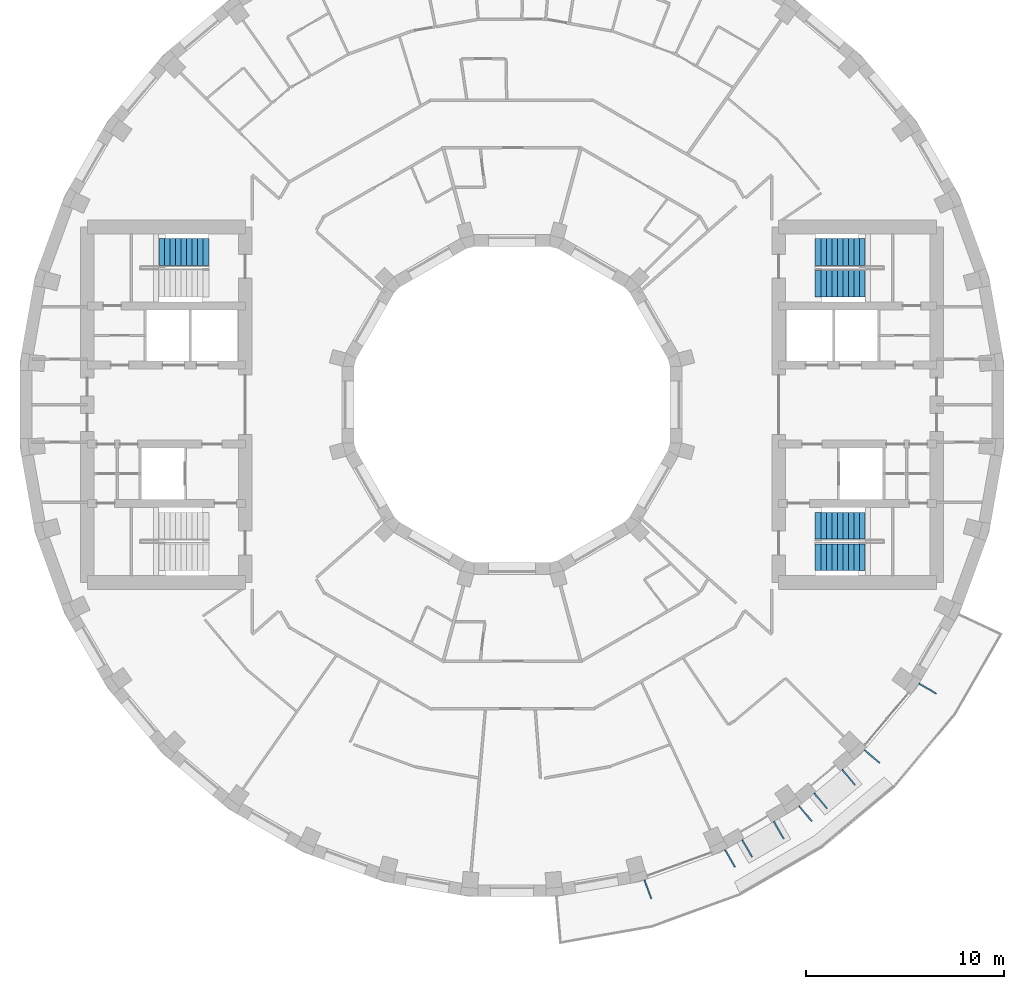
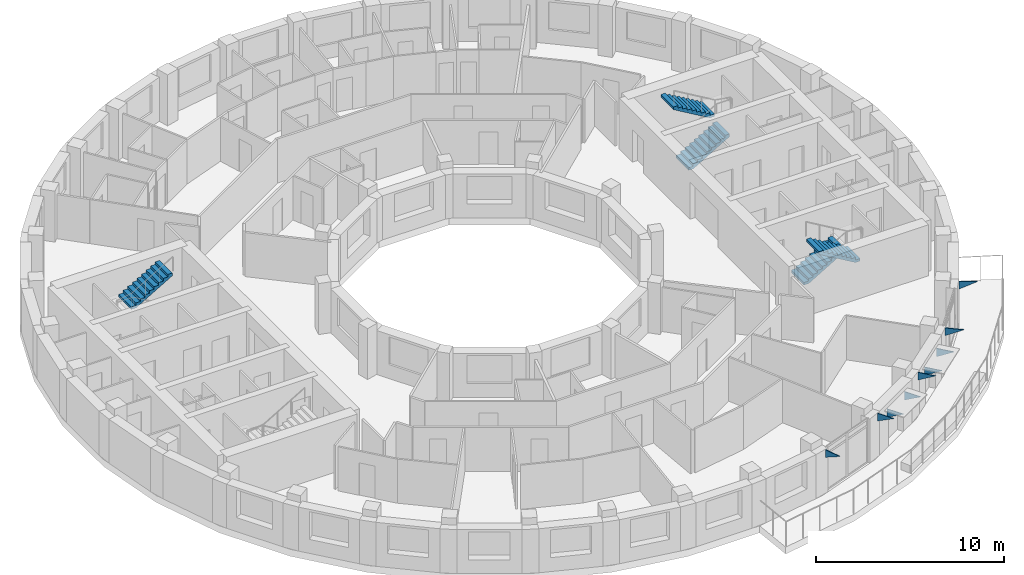
# One storey, part 14 of 15: 9 discrete accessories, 5 stair flights, 3 elements without a shape of their own.
"""IFC4 building model written with IfcOpenShell, lengths in metres."""

from ifc_helpers import new_model, si_unit, direction, frame, origin, place, context, subcontext, project, spatial, polyline, outline, extrude, material, layer, layer_set, type_object, element, aggregate, save


model = new_model("IFC4")

# Units and contexts
model_context = context("Model", 3, precision=1e-05, world=origin(), true_north=direction((0.0, 1.0)))
body_context = subcontext(model_context, "Body", "Model", "MODEL_VIEW")
ifc_project = project(units=[si_unit("LENGTHUNIT", "METRE"), si_unit("AREAUNIT", "SQUARE_METRE"), si_unit("VOLUMEUNIT", "CUBIC_METRE"), si_unit("PLANEANGLEUNIT", "RADIAN"), si_unit("MASSUNIT", "GRAM", prefix="KILO")], contexts=[model_context])

# Site, building, storey
site_placement = place(None, origin())
site = spatial("IfcSite", under=ifc_project, at=site_placement, CompositionType="ELEMENT")
building_placement = place(site_placement, origin())
building = spatial("IfcBuilding", under=site, at=building_placement, Name="Saqina Gate Tower", CompositionType="ELEMENT")
storey_placement = place(building_placement, frame((0.0, 0.0, 164.10009765625)))
storey = spatial("IfcBuildingStorey", under=building, at=storey_placement, Name="L46", CompositionType="ELEMENT", Elevation=164.10009765625)

# Stair, stair flights
ifc_material_1 = material(Name="Concrete C40/50", Category="concrete")
stair_type = type_object("IfcStairType", Name="EXIT STAIR", PredefinedType="HALF_TURN_STAIR", material=ifc_material_1)
stair_1_placement = place(storey_placement, origin())
stair_1 = element("IfcStair", 1, at=stair_1_placement, inside=storey, type_object=stair_type, Name="EXIT STAIR 1", PredefinedType="HALF_TURN_STAIR")
ifc_material_2 = material(Name="Concrete C40/50", Category="concrete")
stair_flight_type = type_object("IfcStairFlightType", Name="EXIT STAIR FLIGHT", PredefinedType="STRAIGHT", material=ifc_material_2)
stair_flight_1_placement = place(storey_placement, frame((15.35009765625, 6.125, 0.0), z_axis=(0.0, 0.0, 1.0), x_axis=(1.0, 0.0, 0.0)))
stair_flight_1 = element("IfcStairFlight", 2, at=stair_flight_1_placement, type_object=stair_flight_type, Name="EXIT STAIR 1 FLIGHT 1", NumberOfRisers=10, NumberOfTreads=9, PredefinedType="STRAIGHT", RiserHeight=0.165, TreadLength=0.28, context=body_context, shape_type="SweptSolid", body=[
    extrude(outline(polyline([(0.0, 0.0), (0.0, 0.1650390625), (0.280029296875, 0.1650390625), (0.280029296875, 0.330078125), (0.56005859375, 0.330078125), (0.56005859375, 0.4951171875), (0.840087890625, 0.4951171875), (0.840087890625, 0.659912109375), (1.1201171875, 0.659912109375), (1.1201171875, 0.824951171875), (1.39990234375, 0.824951171875), (1.39990234375, 0.989990234375), (1.679931640625, 0.989990234375), (1.679931640625, 1.155029296875), (1.9599609375, 1.155029296875), (1.9599609375, 1.320068359375), (2.239990234375, 1.320068359375), (2.239990234375, 1.485107421875), (2.52001953125, 1.485107421875), (2.52001953125, 1.64990234375), (2.52001953125, 1.31103515625), (0.295166015625, 0.0), (0.0, 0.0)])), frame((0.0, 0.675048828125, 0.0), z_axis=(0.0, -1.0, 0.0), x_axis=(1.0, 0.0, 0.0)), (0.0, 0.0, 1.0), 1.35009765625),
])
stair_flight_2_placement = place(storey_placement, frame((17.8701171875, 7.72509765625, 1.64990234375), z_axis=(0.0, 0.0, 1.0), x_axis=(-1.0, 0.0, 0.0)))
stair_flight_2 = element("IfcStairFlight", 3, at=stair_flight_2_placement, type_object=stair_flight_type, Name="EXIT STAIR 1 FLIGHT 2", NumberOfRisers=10, NumberOfTreads=9, PredefinedType="STRAIGHT", RiserHeight=0.165, TreadLength=0.28, context=body_context, shape_type="SweptSolid", body=[
    extrude(outline(polyline([(0.0, 0.0), (0.0, 0.1650390625), (0.280029296875, 0.1650390625), (0.280029296875, 0.330078125), (0.56005859375, 0.330078125), (0.56005859375, 0.4951171875), (0.840087890625, 0.4951171875), (0.840087890625, 0.659912109375), (1.1201171875, 0.659912109375), (1.1201171875, 0.824951171875), (1.39990234375, 0.824951171875), (1.39990234375, 0.989990234375), (1.679931640625, 0.989990234375), (1.679931640625, 1.155029296875), (1.9599609375, 1.155029296875), (1.9599609375, 1.320068359375), (2.239990234375, 1.320068359375), (2.239990234375, 1.485107421875), (2.52001953125, 1.485107421875), (2.52001953125, 1.64990234375), (2.52001953125, 1.31103515625), (0.295166015625, 0.0), (0.0, 0.0)])), frame((0.0, 0.675048828125, 0.0), z_axis=(0.0, -1.0, 0.0), x_axis=(1.0, 0.0, 0.0)), (0.0, 0.0, 1.0), 1.35009765625),
])
aggregate(stair_1, [stair_flight_1, stair_flight_2])

stair_2_placement = place(storey_placement, origin())
stair_2 = element("IfcStair", 4, at=stair_2_placement, inside=storey, type_object=stair_type, Name="EXIT STAIR 2", PredefinedType="HALF_TURN_STAIR")
stair_flight_3_placement = place(storey_placement, frame((15.35009765625, -6.125, 0.0), z_axis=(0.0, 0.0, 1.0), x_axis=(1.0, 0.0, 0.0)))
stair_flight_3 = element("IfcStairFlight", 5, at=stair_flight_3_placement, type_object=stair_flight_type, Name="EXIT STAIR 2 FLIGHT 1", NumberOfRisers=10, NumberOfTreads=9, PredefinedType="STRAIGHT", RiserHeight=0.165, TreadLength=0.28, context=body_context, shape_type="SweptSolid", body=[
    extrude(outline(polyline([(0.0, 0.0), (0.0, 0.1650390625), (0.280029296875, 0.1650390625), (0.280029296875, 0.330078125), (0.56005859375, 0.330078125), (0.56005859375, 0.4951171875), (0.840087890625, 0.4951171875), (0.840087890625, 0.659912109375), (1.1201171875, 0.659912109375), (1.1201171875, 0.824951171875), (1.39990234375, 0.824951171875), (1.39990234375, 0.989990234375), (1.679931640625, 0.989990234375), (1.679931640625, 1.155029296875), (1.9599609375, 1.155029296875), (1.9599609375, 1.320068359375), (2.239990234375, 1.320068359375), (2.239990234375, 1.485107421875), (2.52001953125, 1.485107421875), (2.52001953125, 1.64990234375), (2.52001953125, 1.31103515625), (0.295166015625, 0.0), (0.0, 0.0)])), frame((0.0, 0.675048828125, 0.0), z_axis=(0.0, -1.0, 0.0), x_axis=(1.0, 0.0, 0.0)), (0.0, 0.0, 1.0), 1.35009765625),
])
stair_flight_4_placement = place(storey_placement, frame((17.8701171875, -7.72509765625, 1.64990234375), z_axis=(0.0, 0.0, 1.0), x_axis=(-1.0, 0.0, 0.0)))
stair_flight_4 = element("IfcStairFlight", 6, at=stair_flight_4_placement, type_object=stair_flight_type, Name="EXIT STAIR 2 FLIGHT 2", NumberOfRisers=10, NumberOfTreads=9, PredefinedType="STRAIGHT", RiserHeight=0.165, TreadLength=0.28, context=body_context, shape_type="SweptSolid", body=[
    extrude(outline(polyline([(0.0, 0.0), (0.0, 0.1650390625), (0.280029296875, 0.1650390625), (0.280029296875, 0.330078125), (0.56005859375, 0.330078125), (0.56005859375, 0.4951171875), (0.840087890625, 0.4951171875), (0.840087890625, 0.659912109375), (1.1201171875, 0.659912109375), (1.1201171875, 0.824951171875), (1.39990234375, 0.824951171875), (1.39990234375, 0.989990234375), (1.679931640625, 0.989990234375), (1.679931640625, 1.155029296875), (1.9599609375, 1.155029296875), (1.9599609375, 1.320068359375), (2.239990234375, 1.320068359375), (2.239990234375, 1.485107421875), (2.52001953125, 1.485107421875), (2.52001953125, 1.64990234375), (2.52001953125, 1.31103515625), (0.295166015625, 0.0), (0.0, 0.0)])), frame((0.0, 0.675048828125, 0.0), z_axis=(0.0, -1.0, 0.0), x_axis=(1.0, 0.0, 0.0)), (0.0, 0.0, 1.0), 1.35009765625),
])
aggregate(stair_2, [stair_flight_3, stair_flight_4])

# Stair, stair flight
stair_3_placement = place(storey_placement, origin())
stair_3 = element("IfcStair", 7, at=stair_3_placement, inside=storey, type_object=stair_type, Name="EXIT STAIR 3", PredefinedType="HALF_TURN_STAIR")
stair_flight_5_placement = place(storey_placement, frame((-17.8701171875, 7.72509765625, 1.64990234375), z_axis=(0.0, 0.0, 1.0), x_axis=(1.0, 0.0, 0.0)))
stair_flight_5 = element("IfcStairFlight", 8, at=stair_flight_5_placement, type_object=stair_flight_type, Name="EXIT STAIR 3 FLIGHT 2", NumberOfRisers=10, NumberOfTreads=9, PredefinedType="STRAIGHT", RiserHeight=0.165, TreadLength=0.28, context=body_context, shape_type="SweptSolid", body=[
    extrude(outline(polyline([(0.0, 0.0), (0.0, 0.1650390625), (0.280029296875, 0.1650390625), (0.280029296875, 0.330078125), (0.56005859375, 0.330078125), (0.56005859375, 0.4951171875), (0.840087890625, 0.4951171875), (0.840087890625, 0.659912109375), (1.1201171875, 0.659912109375), (1.1201171875, 0.824951171875), (1.39990234375, 0.824951171875), (1.39990234375, 0.989990234375), (1.679931640625, 0.989990234375), (1.679931640625, 1.155029296875), (1.9599609375, 1.155029296875), (1.9599609375, 1.320068359375), (2.239990234375, 1.320068359375), (2.239990234375, 1.485107421875), (2.52001953125, 1.485107421875), (2.52001953125, 1.64990234375), (2.52001953125, 1.31103515625), (0.295166015625, 0.0), (0.0, 0.0)])), frame((0.0, 0.675048828125, 0.0), z_axis=(0.0, -1.0, 0.0), x_axis=(1.0, 0.0, 0.0)), (0.0, 0.0, 1.0), 1.35009765625),
])
aggregate(stair_3, [stair_flight_5])

# Discrete accessories
ifc_material_3 = material(Name="Galvanised steel", Category="steel")
ifc_layer_1 = layer(ifc_material_3, 0.050048828125)
ifc_layer_set_1 = layer_set([ifc_layer_1], Name="BR-AWNING")
discrete_accessory_type_1 = type_object("IfcDiscreteAccessoryType", Name="BR-AWNING", PredefinedType="BRACKET", material=ifc_layer_set_1)
for number, where, z_axis, x_axis, name in (
    (9, (11.673095703125, -22.018310546875, 1.974853515625), (0.866010750942, 0.50002537861, 0.0), (0.0, 0.0, 1.0), "Awning bracket L46 facet 30"),
    (10, (13.27490234375, -21.09326171875, 1.974853515625), (0.866010750942, 0.50002537861, 0.0), (0.0, 0.0, 1.0), "Awning bracket L46 facet 30"),
):
    element("IfcDiscreteAccessory", number, at=place(storey_placement, frame(where, z_axis=z_axis, x_axis=x_axis)), inside=storey, type_object=discrete_accessory_type_1, Name=name, PredefinedType="BRACKET", context=body_context, shape_type="SweptSolid", body=[
        extrude(outline(polyline([(0.0, 0.0), (0.550048828125, 0.0), (0.550048828125, 0.9999492453569568), (0.0, 0.0)])), origin(), (0.0, 0.0, -1.0), 0.050048828125),
    ])
for number, where, z_axis, x_axis, name in (
    (11, (15.319091796875, -19.65673828125, 1.974853515625), (0.765954930181, 0.642894271969, 0.0), (0.0, 0.0, 1.0), "Awning bracket L46 facet 31"),
    (12, (16.736083984375, -18.4677734375, 1.974853515625), (0.765954930181, 0.642894271969, 0.0), (0.0, 0.0, 1.0), "Awning bracket L46 facet 31"),
):
    element("IfcDiscreteAccessory", number, at=place(storey_placement, frame(where, z_axis=z_axis, x_axis=x_axis)), inside=storey, type_object=discrete_accessory_type_1, Name=name, PredefinedType="BRACKET", context=body_context, shape_type="SweptSolid", body=[
        extrude(outline(polyline([(0.0, 0.0), (0.550048828125, 0.0), (0.550048828125, 0.9998879966000863), (0.0, 0.0)])), origin(), (0.0, 0.0, -1.0), 0.050048828125),
    ])
ifc_material_4 = material(Name="Galvanised steel", Category="steel")
ifc_layer_2 = layer(ifc_material_4, 0.050048828125)
ifc_layer_set_2 = layer_set([ifc_layer_2], Name="BR-GUSSET")
discrete_accessory_type_2 = type_object("IfcDiscreteAccessoryType", Name="BR-GUSSET", PredefinedType="BRACKET", material=ifc_layer_set_2)
discrete_accessory_1_placement = place(storey_placement, frame((6.72900390625, -24.05419921875, 2.349853515625), z_axis=(0.939764905391, 0.341821477669, 0.0), x_axis=(0.0, 0.0, 1.0)))
element("IfcDiscreteAccessory", 13, at=discrete_accessory_1_placement, inside=storey, type_object=discrete_accessory_type_2, Name="Terrace slab bracket L47 1", PredefinedType="BRACKET", context=body_context, shape_type="SweptSolid", body=[
    extrude(outline(polyline([(0.0, 0.0), (0.5, 0.0), (0.5, 0.999928024801219), (0.0, 0.0)])), origin(), (0.0, 0.0, -1.0), 0.050048828125),
])
discrete_accessory_2_placement = place(storey_placement, frame((10.8037109375, -22.520263671875, 2.349853515625), z_axis=(0.866010750942, 0.50002537861, 0.0), x_axis=(0.0, 0.0, 1.0)))
element("IfcDiscreteAccessory", 14, at=discrete_accessory_2_placement, inside=storey, type_object=discrete_accessory_type_2, Name="Terrace slab bracket L47 2", PredefinedType="BRACKET", context=body_context, shape_type="SweptSolid", body=[
    extrude(outline(polyline([(0.0, 0.0), (0.5, 0.0), (0.5, 0.9999492453569568), (0.0, 0.0)])), origin(), (0.0, 0.0, -1.0), 0.050048828125),
])
for number, where, z_axis, x_axis, name in (
    (15, (14.550048828125, -20.302001953125, 2.349853515625), (0.766055819685, 0.64277405138, 0.0), (0.0, 0.0, 1.0), "Terrace slab bracket L47 3"),
    (16, (17.8544921875, -17.467041015625, 2.349853515625), (0.64277405138, 0.766055819685, 0.0), (0.0, 0.0, 1.0), "Terrace slab bracket L47 4"),
):
    element("IfcDiscreteAccessory", number, at=place(storey_placement, frame(where, z_axis=z_axis, x_axis=x_axis)), inside=storey, type_object=discrete_accessory_type_2, Name=name, PredefinedType="BRACKET", context=body_context, shape_type="SweptSolid", body=[
        extrude(outline(polyline([(0.0, 0.0), (0.5, 0.0), (0.5, 1.0000750096322275), (0.0, 0.0)])), origin(), (0.0, 0.0, -1.0), 0.050048828125),
    ])
discrete_accessory_3_placement = place(storey_placement, frame((20.6162109375, -14.101318359375, 2.349853515625), z_axis=(0.499919672301, 0.866071776036, 0.0), x_axis=(0.0, 0.0, 1.0)))
element("IfcDiscreteAccessory", 17, at=discrete_accessory_3_placement, inside=storey, type_object=discrete_accessory_type_2, Name="Terrace slab bracket L47 5", PredefinedType="BRACKET", context=body_context, shape_type="SweptSolid", body=[
    extrude(outline(polyline([(0.0, 0.0), (0.5, 0.0), (0.5, 1.0001606812130883), (0.0, 0.0)])), origin(), (0.0, 0.0, -1.0), 0.050048828125),
])

save(model, "model.ifc")
